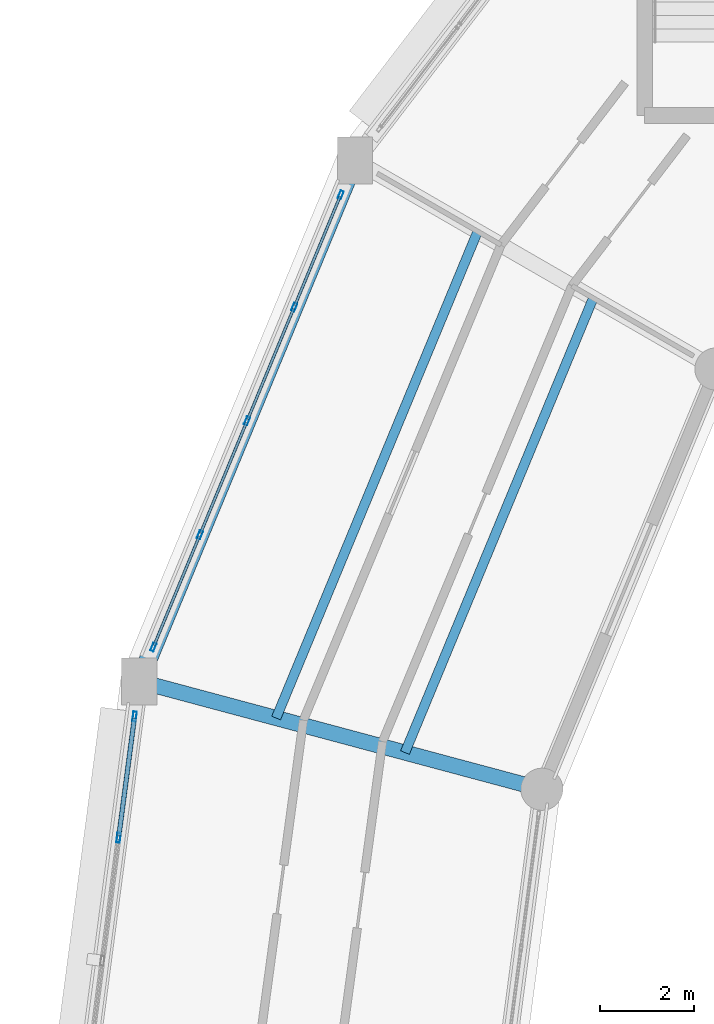
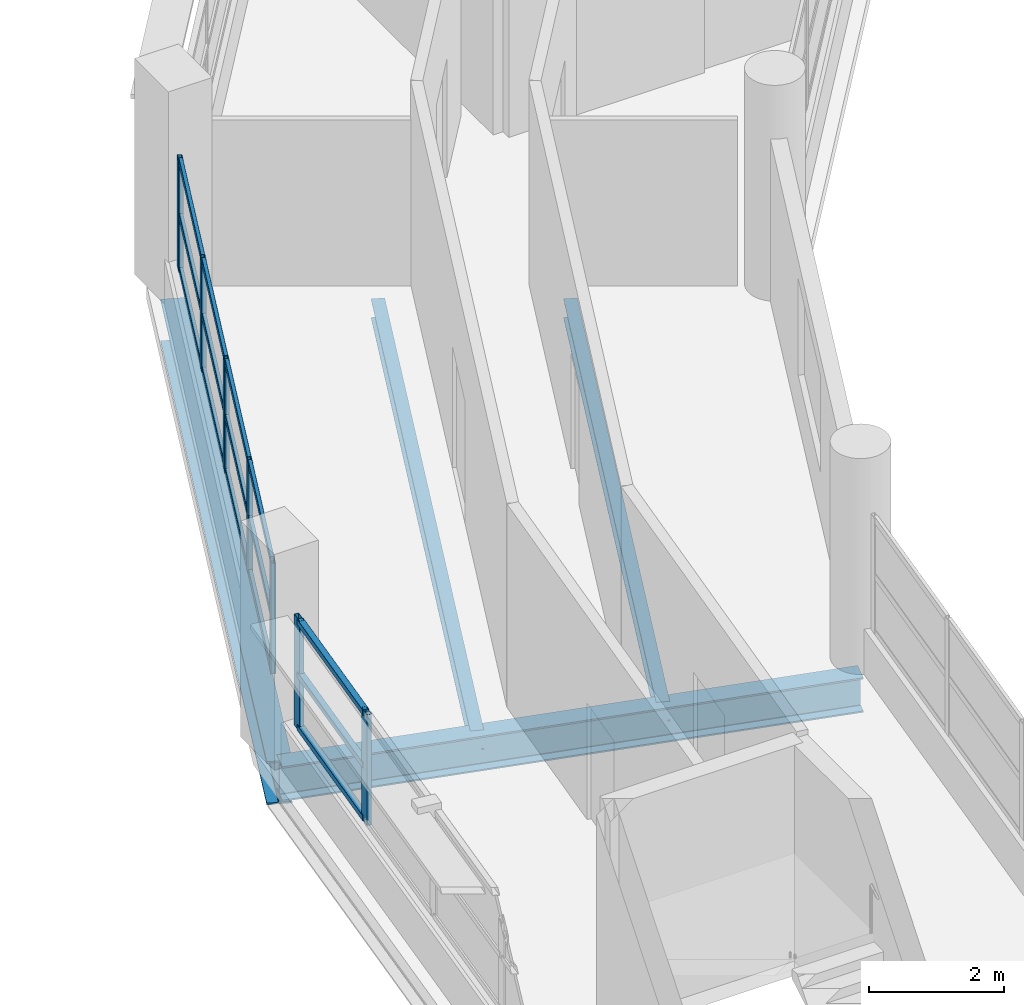
# One storey, part 20 of 53: 22 members, 4 beams, 2 elements without a shape of their own.
"""IFC4 building model written with IfcOpenShell, lengths in metres."""

from ifc_helpers import new_model, si_unit, direction, frame, origin, origin_2d, place, context, subcontext, project, spatial, hollow_rectangle, i_section, extrude, material, layer, layer_set, material_profile, profile_set, type_object, element, aggregate, save


model = new_model("IFC4")

# Units and contexts
model_context = context("Model", 3, precision=1e-05, world=origin(), true_north=direction((0.0, 1.0)))
body_context = subcontext(model_context, "Body", "Model", "MODEL_VIEW")
ifc_project = project(units=[si_unit("LENGTHUNIT", "METRE"), si_unit("AREAUNIT", "SQUARE_METRE"), si_unit("VOLUMEUNIT", "CUBIC_METRE"), si_unit("PLANEANGLEUNIT", "RADIAN"), si_unit("MASSUNIT", "GRAM", prefix="KILO")], contexts=[model_context])

# Site, building, storey
site_placement = place(None, origin())
site = spatial("IfcSite", under=ifc_project, at=site_placement, CompositionType="ELEMENT")
building_placement = place(site_placement, origin())
building = spatial("IfcBuilding", under=site, at=building_placement, Name="Vespera Passage Community Centre", CompositionType="ELEMENT")
storey_placement = place(building_placement, frame((0.0, 0.0, 20.39990234375)))
storey = spatial("IfcBuildingStorey", under=building, at=storey_placement, Name="L05", CompositionType="ELEMENT", Elevation=20.39990234375)

# Beams
ifc_material_1 = material(Name="Steel ASTM A992 Grade 50", Category="steel")
ifc_material_profile_1 = material_profile(ifc_material_1, i_section(OverallWidth=0.32763671875, OverallDepth=0.62841796875, WebThickness=0.0166015625, FlangeThickness=0.027587890625, FilletRadius=0.0126953125, at=origin_2d()), Name="W24X146")
ifc_profile_set_1 = profile_set([ifc_material_profile_1], Name="Steel ASTM A992 Grade 50")
beam_type_1 = type_object("IfcBeamType", Name="BM-G-W24X146", PredefinedType="BEAM", material=ifc_profile_set_1)
beam_1_placement = place(storey_placement, frame((42.067626953125, 75.128173828125, -0.57421875), z_axis=(-0.9659278487, 0.258811497245, 0.0), x_axis=(-0.258811497245, -0.9659278487, 0.0)))
element("IfcBeam", 1, at=beam_1_placement, inside=storey, type_object=beam_type_1, Name="V4 L05 Radial Girder 11", PredefinedType="BEAM", context=body_context, shape_type="SweptSolid", body=[
    extrude(i_section(OverallWidth=0.32763671875, OverallDepth=0.62841796875, WebThickness=0.0166015625, FlangeThickness=0.027587890625, FilletRadius=0.0126953125, at=origin_2d()), origin(), (0.0, 0.0, 1.0), 8.900146484375),
])
ifc_material_2 = material(Name="Steel ASTM A992 Grade 50", Category="steel")
ifc_material_profile_2 = material_profile(ifc_material_2, i_section(OverallWidth=0.2041015625, OverallDepth=0.3505859375, WebThickness=0.008544921875, FlangeThickness=0.01513671875, FilletRadius=0.01513671875, at=origin_2d()), Name="W14X48")
ifc_profile_set_2 = profile_set([ifc_material_profile_2], Name="Steel ASTM A992 Grade 50")
beam_type_2 = type_object("IfcBeamType", Name="BM-J-W14X48", PredefinedType="JOIST", material=ifc_profile_set_2)
beam_2_placement = place(storey_placement, frame((43.163330078125, 85.613037109375, -0.435302734375), z_axis=(-0.382683064417, -0.92387968492, 0.0), x_axis=(0.92387968492, -0.382683064417, 0.0)))
element("IfcBeam", 2, at=beam_2_placement, inside=storey, type_object=beam_type_2, Name="V4 L05 Floor Joist 10.1", PredefinedType="JOIST", context=body_context, shape_type="SweptSolid", body=[
    extrude(i_section(OverallWidth=0.2041015625, OverallDepth=0.3505859375, WebThickness=0.008544921875, FlangeThickness=0.01513671875, FilletRadius=0.01513671875, at=origin_2d()), origin(), (0.0, 0.0, 1.0), 10.5009765625),
])
beam_3_placement = place(storey_placement, frame((40.69677734375, 87.037109375, -0.435302734375), z_axis=(-0.38267202562, -0.923884257257, 0.0), x_axis=(0.923884257257, -0.38267202562, 0.0)))
element("IfcBeam", 3, at=beam_3_placement, inside=storey, type_object=beam_type_2, Name="V4 L05 Floor Joist 10.2", PredefinedType="JOIST", context=body_context, shape_type="SweptSolid", body=[
    extrude(i_section(OverallWidth=0.2041015625, OverallDepth=0.3505859375, WebThickness=0.008544921875, FlangeThickness=0.01513671875, FilletRadius=0.01513671875, at=origin_2d()), origin(), (0.0, 0.0, 1.0), 11.24462890625),
])
ifc_material_3 = material(Name="Steel ASTM A992 Grade 50", Category="steel")
ifc_material_profile_3 = material_profile(ifc_material_3, i_section(OverallWidth=0.382080078125, OverallDepth=0.779296875, WebThickness=0.01806640625, FlangeThickness=0.030029296875, FilletRadius=0.0166015625, at=origin_2d()), Name="W30X191")
ifc_profile_set_3 = profile_set([ifc_material_profile_3], Name="Steel ASTM A992 Grade 50")
beam_type_3 = type_object("IfcBeamType", Name="BM-SP-W30X191E", PredefinedType="SPANDREL", material=ifc_profile_set_3)
beam_4_placement = place(storey_placement, frame((38.076171875, 88.550048828125, -0.649658203125), z_axis=(-0.382688629799, -0.923877379647, 0.0), x_axis=(0.923877379647, -0.382688629799, 0.0)))
element("IfcBeam", 4, at=beam_4_placement, inside=storey, type_object=beam_type_3, Name="V4 L05 Outer Spandrel 10", PredefinedType="SPANDREL", context=body_context, shape_type="SweptSolid", body=[
    extrude(i_section(OverallWidth=0.382080078125, OverallDepth=0.779296875, WebThickness=0.01806640625, FlangeThickness=0.030029296875, FilletRadius=0.0166015625, at=origin_2d()), origin(), (0.0, 0.0, 1.0), 12.034423828125),
])

# Curtain wall, members
ifc_material_4 = material(Name="Anodized aluminium 6063-T6", Category="aluminium")
ifc_layer_1 = layer(ifc_material_4, 0.159912109375)
ifc_layer_set_1 = layer_set([ifc_layer_1], Name="Anodized aluminium 6063-T6")
curtain_wall_type_1 = type_object("IfcCurtainWallType", Name="CW-65E", PredefinedType="NOTDEFINED", material=ifc_layer_set_1)
curtain_wall_1_placement = place(storey_placement, origin())
curtain_wall_1 = element("IfcCurtainWall", 5, at=curtain_wall_1_placement, inside=storey, type_object=curtain_wall_type_1, Name="V4 L05 Outer Ribbon Curtain Wall 10", PredefinedType="NOTDEFINED")
ifc_material_5 = material(Name="Anodized aluminium 6063-T6", Category="aluminium")
ifc_material_profile_4 = material_profile(ifc_material_5, hollow_rectangle(XDim=0.074951171875, YDim=0.179931640625, WallThickness=0.0048828125, InnerFilletRadius=0.00244140625, OuterFilletRadius=0.0048828125, at=origin_2d()), Name="ALU180X75X5")
ifc_profile_set_4 = profile_set([ifc_material_profile_4], Name="Anodized aluminium 6063-T6")
member_type_1 = type_object("IfcMemberType", Name="MB-CWM-180E", PredefinedType="MULLION", material=ifc_profile_set_4)
member_1_placement = place(storey_placement, frame((33.774658203125, 78.164794921875, 0.820068359375), z_axis=(0.0, 0.0, 1.0), x_axis=(-0.923881309405, 0.382679142535, 0.0)))
member_1 = element("IfcMember", 6, at=member_1_placement, type_object=member_type_1, Name="CW-65E mullion 1", PredefinedType="MULLION", context=body_context, shape_type="SweptSolid", body=[
    extrude(hollow_rectangle(XDim=0.074951171875, YDim=0.179931640625, WallThickness=0.0048828125, InnerFilletRadius=0.00244140625, OuterFilletRadius=0.0048828125, at=origin_2d()), origin(), (0.0, 0.0, 1.0), 2.005615234375),
])
member_2_placement = place(storey_placement, frame((34.766845703125, 80.560546875, 0.820068359375), z_axis=(0.0, 0.0, 1.0), x_axis=(-0.923881309405, 0.382679142535, 0.0)))
member_2 = element("IfcMember", 7, at=member_2_placement, type_object=member_type_1, Name="CW-65E mullion 2", PredefinedType="MULLION", context=body_context, shape_type="SweptSolid", body=[
    extrude(hollow_rectangle(XDim=0.074951171875, YDim=0.179931640625, WallThickness=0.0048828125, InnerFilletRadius=0.00244140625, OuterFilletRadius=0.0048828125, at=origin_2d()), origin(), (0.0, 0.0, 1.0), 2.005615234375),
])
member_3_placement = place(storey_placement, frame((35.7734375, 82.99072265625, 0.820068359375), z_axis=(0.0, 0.0, 1.0), x_axis=(-0.923881309405, 0.382679142535, 0.0)))
member_3 = element("IfcMember", 8, at=member_3_placement, type_object=member_type_1, Name="CW-65E mullion 3", PredefinedType="MULLION", context=body_context, shape_type="SweptSolid", body=[
    extrude(hollow_rectangle(XDim=0.074951171875, YDim=0.179931640625, WallThickness=0.0048828125, InnerFilletRadius=0.00244140625, OuterFilletRadius=0.0048828125, at=origin_2d()), origin(), (0.0, 0.0, 1.0), 2.005615234375),
])
member_4_placement = place(storey_placement, frame((36.780029296875, 85.421142578125, 0.820068359375), z_axis=(0.0, 0.0, 1.0), x_axis=(-0.923881309405, 0.382679142535, 0.0)))
member_4 = element("IfcMember", 9, at=member_4_placement, type_object=member_type_1, Name="CW-65E mullion 4", PredefinedType="MULLION", context=body_context, shape_type="SweptSolid", body=[
    extrude(hollow_rectangle(XDim=0.074951171875, YDim=0.179931640625, WallThickness=0.0048828125, InnerFilletRadius=0.00244140625, OuterFilletRadius=0.0048828125, at=origin_2d()), origin(), (0.0, 0.0, 1.0), 2.005615234375),
])
member_5_placement = place(storey_placement, frame((37.7724609375, 87.816650390625, 0.820068359375), z_axis=(0.0, 0.0, 1.0), x_axis=(-0.923881309405, 0.382679142535, 0.0)))
member_5 = element("IfcMember", 10, at=member_5_placement, type_object=member_type_1, Name="CW-65E mullion 5", PredefinedType="MULLION", context=body_context, shape_type="SweptSolid", body=[
    extrude(hollow_rectangle(XDim=0.074951171875, YDim=0.179931640625, WallThickness=0.0048828125, InnerFilletRadius=0.00244140625, OuterFilletRadius=0.0048828125, at=origin_2d()), origin(), (0.0, 0.0, 1.0), 2.005615234375),
])

ifc_material_6 = material(Name="Anodized aluminium 6063-T6", Category="aluminium")
ifc_layer_2 = layer(ifc_material_6, 0.159912109375)
ifc_layer_set_2 = layer_set([ifc_layer_2], Name="Anodized aluminium 6063-T6")
curtain_wall_type_2 = type_object("IfcCurtainWallType", Name="CW-63E", PredefinedType="NOTDEFINED", material=ifc_layer_set_2)
curtain_wall_2_placement = place(storey_placement, origin())
curtain_wall_2 = element("IfcCurtainWall", 11, at=curtain_wall_2_placement, inside=storey, type_object=curtain_wall_type_2, Name="V4 L05 Outer Ribbon Curtain Wall 11", PredefinedType="NOTDEFINED")
ifc_material_7 = material(Name="Anodized aluminium 6063-T6", Category="aluminium")
ifc_material_profile_5 = material_profile(ifc_material_7, hollow_rectangle(XDim=0.074951171875, YDim=0.2099609375, WallThickness=0.0048828125, InnerFilletRadius=0.00244140625, OuterFilletRadius=0.0048828125, at=origin_2d()), Name="ALU210X75X5")
ifc_profile_set_5 = profile_set([ifc_material_profile_5], Name="Anodized aluminium 6063-T6")
member_type_2 = type_object("IfcMemberType", Name="MB-CWM-210E", PredefinedType="MULLION", material=ifc_profile_set_5)
member_6_placement = place(storey_placement, frame((33.03125, 74.092041015625, 0.820068359375), z_axis=(0.0, 0.0, 1.0), x_axis=(-0.991445298818, 0.130522869458, 0.0)))
member_6 = element("IfcMember", 12, at=member_6_placement, type_object=member_type_2, Name="CW-63E mullion 4", PredefinedType="MULLION", context=body_context, shape_type="SweptSolid", body=[
    extrude(hollow_rectangle(XDim=0.074951171875, YDim=0.2099609375, WallThickness=0.0048828125, InnerFilletRadius=0.00244140625, OuterFilletRadius=0.0048828125, at=origin_2d()), origin(), (0.0, 0.0, 1.0), 2.005615234375),
])
member_7_placement = place(storey_placement, frame((33.3720703125, 76.68115234375, 0.820068359375), z_axis=(0.0, 0.0, 1.0), x_axis=(-0.991445298818, 0.130522869458, 0.0)))
member_7 = element("IfcMember", 13, at=member_7_placement, type_object=member_type_2, Name="CW-63E mullion 5", PredefinedType="MULLION", context=body_context, shape_type="SweptSolid", body=[
    extrude(hollow_rectangle(XDim=0.074951171875, YDim=0.2099609375, WallThickness=0.0048828125, InnerFilletRadius=0.00244140625, OuterFilletRadius=0.0048828125, at=origin_2d()), origin(), (0.0, 0.0, 1.0), 2.005615234375),
])
ifc_material_8 = material(Name="Anodized aluminium 6063-T6", Category="aluminium")
ifc_material_profile_6 = material_profile(ifc_material_8, hollow_rectangle(XDim=0.10009765625, YDim=0.10009765625, WallThickness=0.00390625, InnerFilletRadius=0.001953125, OuterFilletRadius=0.00390625, at=origin_2d()), Name="ALU100X100X4")
ifc_profile_set_6 = profile_set([ifc_material_profile_6], Name="Anodized aluminium 6063-T6")
member_type_3 = type_object("IfcMemberType", Name="MB-CWT-100E", PredefinedType="USERDEFINED", material=ifc_profile_set_6)
member_8_placement = place(storey_placement, frame((33.0361328125, 74.12939453125, 0.8701171875), z_axis=(0.130524231271, 0.991445119536, 0.0), x_axis=(-0.991445119536, 0.130524231271, 0.0)))
member_8 = element("IfcMember", 14, at=member_8_placement, type_object=member_type_3, Name="CW-63E transom 4.1", ObjectType="TRANSOM", PredefinedType="USERDEFINED", context=body_context, shape_type="SweptSolid", body=[
    extrude(hollow_rectangle(XDim=0.10009765625, YDim=0.10009765625, WallThickness=0.00390625, InnerFilletRadius=0.001953125, OuterFilletRadius=0.00390625, at=origin_2d()), origin(), (0.0, 0.0, 1.0), 2.536376953125),
])
member_9_placement = place(storey_placement, frame((33.0361328125, 74.12939453125, 1.822998046875), z_axis=(0.130524231271, 0.991445119536, 0.0), x_axis=(-0.991445119536, 0.130524231271, 0.0)))
member_9 = element("IfcMember", 15, at=member_9_placement, type_object=member_type_3, Name="CW-63E transom 4.2", ObjectType="TRANSOM", PredefinedType="USERDEFINED", context=body_context, shape_type="SweptSolid", body=[
    extrude(hollow_rectangle(XDim=0.10009765625, YDim=0.10009765625, WallThickness=0.00390625, InnerFilletRadius=0.001953125, OuterFilletRadius=0.00390625, at=origin_2d()), origin(), (0.0, 0.0, 1.0), 2.536376953125),
])
member_10_placement = place(storey_placement, frame((33.0361328125, 74.12939453125, 2.77587890625), z_axis=(0.130524231271, 0.991445119536, 0.0), x_axis=(-0.991445119536, 0.130524231271, 0.0)))
member_10 = element("IfcMember", 16, at=member_10_placement, type_object=member_type_3, Name="CW-63E transom 4.3", ObjectType="TRANSOM", PredefinedType="USERDEFINED", context=body_context, shape_type="SweptSolid", body=[
    extrude(hollow_rectangle(XDim=0.10009765625, YDim=0.10009765625, WallThickness=0.00390625, InnerFilletRadius=0.001953125, OuterFilletRadius=0.00390625, at=origin_2d()), origin(), (0.0, 0.0, 1.0), 2.536376953125),
])
aggregate(curtain_wall_2, [member_6, member_7, member_8, member_9, member_10])

# Member
ifc_material_9 = material(Name="Anodized aluminium 6063-T6", Category="aluminium")
ifc_material_profile_7 = material_profile(ifc_material_9, hollow_rectangle(XDim=0.06005859375, YDim=0.1201171875, WallThickness=0.00390625, InnerFilletRadius=0.001953125, OuterFilletRadius=0.00390625, at=origin_2d()), Name="ALU120X60X4")
ifc_profile_set_7 = profile_set([ifc_material_profile_7], Name="Anodized aluminium 6063-T6")
member_type_4 = type_object("IfcMemberType", Name="MB-CWT-120E", PredefinedType="USERDEFINED", material=ifc_profile_set_7)
member_11_placement = place(storey_placement, frame((33.788818359375, 78.199462890625, 0.85009765625), z_axis=(0.3826800364, 0.923880939159, 0.0), x_axis=(-0.923880939159, 0.3826800364, 0.0)))
member_11 = element("IfcMember", 17, at=member_11_placement, type_object=member_type_4, Name="CW-65E transom 1.1", ObjectType="TRANSOM", PredefinedType="USERDEFINED", context=body_context, shape_type="SweptSolid", body=[
    extrude(hollow_rectangle(XDim=0.06005859375, YDim=0.1201171875, WallThickness=0.00390625, InnerFilletRadius=0.001953125, OuterFilletRadius=0.00390625, at=origin_2d()), origin(), (0.0, 0.0, 1.0), 2.51806640625),
])

member_12_placement = place(storey_placement, frame((33.788818359375, 78.199462890625, 1.822998046875), z_axis=(0.3826800364, 0.923880939159, 0.0), x_axis=(-0.923880939159, 0.3826800364, 0.0)))
member_12 = element("IfcMember", 18, at=member_12_placement, type_object=member_type_4, Name="CW-65E transom 1.2", ObjectType="TRANSOM", PredefinedType="USERDEFINED", context=body_context, shape_type="SweptSolid", body=[
    extrude(hollow_rectangle(XDim=0.06005859375, YDim=0.1201171875, WallThickness=0.00390625, InnerFilletRadius=0.001953125, OuterFilletRadius=0.00390625, at=origin_2d()), origin(), (0.0, 0.0, 1.0), 2.51806640625),
])

member_13_placement = place(storey_placement, frame((33.788818359375, 78.199462890625, 2.7958984375), z_axis=(0.3826800364, 0.923880939159, 0.0), x_axis=(-0.923880939159, 0.3826800364, 0.0)))
member_13 = element("IfcMember", 19, at=member_13_placement, type_object=member_type_4, Name="CW-65E transom 1.3", ObjectType="TRANSOM", PredefinedType="USERDEFINED", context=body_context, shape_type="SweptSolid", body=[
    extrude(hollow_rectangle(XDim=0.06005859375, YDim=0.1201171875, WallThickness=0.00390625, InnerFilletRadius=0.001953125, OuterFilletRadius=0.00390625, at=origin_2d()), origin(), (0.0, 0.0, 1.0), 2.51806640625),
])

member_14_placement = place(storey_placement, frame((34.78125, 80.59521484375, 0.85009765625), z_axis=(0.382647130015, 0.923894568601, 0.0), x_axis=(-0.923894568601, 0.382647130015, 0.0)))
member_14 = element("IfcMember", 20, at=member_14_placement, type_object=member_type_4, Name="CW-65E transom 2.1", ObjectType="TRANSOM", PredefinedType="USERDEFINED", context=body_context, shape_type="SweptSolid", body=[
    extrude(hollow_rectangle(XDim=0.06005859375, YDim=0.1201171875, WallThickness=0.00390625, InnerFilletRadius=0.001953125, OuterFilletRadius=0.00390625, at=origin_2d()), origin(), (0.0, 0.0, 1.0), 2.555419921875),
])

member_15_placement = place(storey_placement, frame((34.78125, 80.59521484375, 1.822998046875), z_axis=(0.382647130015, 0.923894568601, 0.0), x_axis=(-0.923894568601, 0.382647130015, 0.0)))
member_15 = element("IfcMember", 21, at=member_15_placement, type_object=member_type_4, Name="CW-65E transom 2.2", ObjectType="TRANSOM", PredefinedType="USERDEFINED", context=body_context, shape_type="SweptSolid", body=[
    extrude(hollow_rectangle(XDim=0.06005859375, YDim=0.1201171875, WallThickness=0.00390625, InnerFilletRadius=0.001953125, OuterFilletRadius=0.00390625, at=origin_2d()), origin(), (0.0, 0.0, 1.0), 2.555419921875),
])

member_16_placement = place(storey_placement, frame((34.78125, 80.59521484375, 2.7958984375), z_axis=(0.382647130015, 0.923894568601, 0.0), x_axis=(-0.923894568601, 0.382647130015, 0.0)))
member_16 = element("IfcMember", 22, at=member_16_placement, type_object=member_type_4, Name="CW-65E transom 2.3", ObjectType="TRANSOM", PredefinedType="USERDEFINED", context=body_context, shape_type="SweptSolid", body=[
    extrude(hollow_rectangle(XDim=0.06005859375, YDim=0.1201171875, WallThickness=0.00390625, InnerFilletRadius=0.001953125, OuterFilletRadius=0.00390625, at=origin_2d()), origin(), (0.0, 0.0, 1.0), 2.555419921875),
])

member_17_placement = place(storey_placement, frame((35.787841796875, 83.025390625, 0.85009765625), z_axis=(0.382694900027, 0.923874782367, 0.0), x_axis=(-0.923874782367, 0.382694900027, 0.0)))
member_17 = element("IfcMember", 23, at=member_17_placement, type_object=member_type_4, Name="CW-65E transom 3.1", ObjectType="TRANSOM", PredefinedType="USERDEFINED", context=body_context, shape_type="SweptSolid", body=[
    extrude(hollow_rectangle(XDim=0.06005859375, YDim=0.1201171875, WallThickness=0.00390625, InnerFilletRadius=0.001953125, OuterFilletRadius=0.00390625, at=origin_2d()), origin(), (0.0, 0.0, 1.0), 2.5556640625),
])

member_18_placement = place(storey_placement, frame((35.787841796875, 83.025390625, 1.822998046875), z_axis=(0.382694900027, 0.923874782367, 0.0), x_axis=(-0.923874782367, 0.382694900027, 0.0)))
member_18 = element("IfcMember", 24, at=member_18_placement, type_object=member_type_4, Name="CW-65E transom 3.2", ObjectType="TRANSOM", PredefinedType="USERDEFINED", context=body_context, shape_type="SweptSolid", body=[
    extrude(hollow_rectangle(XDim=0.06005859375, YDim=0.1201171875, WallThickness=0.00390625, InnerFilletRadius=0.001953125, OuterFilletRadius=0.00390625, at=origin_2d()), origin(), (0.0, 0.0, 1.0), 2.5556640625),
])

member_19_placement = place(storey_placement, frame((35.787841796875, 83.025390625, 2.7958984375), z_axis=(0.382694900027, 0.923874782367, 0.0), x_axis=(-0.923874782367, 0.382694900027, 0.0)))
member_19 = element("IfcMember", 25, at=member_19_placement, type_object=member_type_4, Name="CW-65E transom 3.3", ObjectType="TRANSOM", PredefinedType="USERDEFINED", context=body_context, shape_type="SweptSolid", body=[
    extrude(hollow_rectangle(XDim=0.06005859375, YDim=0.1201171875, WallThickness=0.00390625, InnerFilletRadius=0.001953125, OuterFilletRadius=0.00390625, at=origin_2d()), origin(), (0.0, 0.0, 1.0), 2.5556640625),
])

member_20_placement = place(storey_placement, frame((36.79443359375, 85.455810546875, 0.85009765625), z_axis=(0.3826800364, 0.923880939159, 0.0), x_axis=(-0.923880939159, 0.3826800364, 0.0)))
member_20 = element("IfcMember", 26, at=member_20_placement, type_object=member_type_4, Name="CW-65E transom 4.1", ObjectType="TRANSOM", PredefinedType="USERDEFINED", context=body_context, shape_type="SweptSolid", body=[
    extrude(hollow_rectangle(XDim=0.06005859375, YDim=0.1201171875, WallThickness=0.00390625, InnerFilletRadius=0.001953125, OuterFilletRadius=0.00390625, at=origin_2d()), origin(), (0.0, 0.0, 1.0), 2.51806640625),
])

member_21_placement = place(storey_placement, frame((36.79443359375, 85.455810546875, 1.822998046875), z_axis=(0.3826800364, 0.923880939159, 0.0), x_axis=(-0.923880939159, 0.3826800364, 0.0)))
member_21 = element("IfcMember", 27, at=member_21_placement, type_object=member_type_4, Name="CW-65E transom 4.2", ObjectType="TRANSOM", PredefinedType="USERDEFINED", context=body_context, shape_type="SweptSolid", body=[
    extrude(hollow_rectangle(XDim=0.06005859375, YDim=0.1201171875, WallThickness=0.00390625, InnerFilletRadius=0.001953125, OuterFilletRadius=0.00390625, at=origin_2d()), origin(), (0.0, 0.0, 1.0), 2.51806640625),
])

member_22_placement = place(storey_placement, frame((36.79443359375, 85.455810546875, 2.7958984375), z_axis=(0.3826800364, 0.923880939159, 0.0), x_axis=(-0.923880939159, 0.3826800364, 0.0)))
member_22 = element("IfcMember", 28, at=member_22_placement, type_object=member_type_4, Name="CW-65E transom 4.3", ObjectType="TRANSOM", PredefinedType="USERDEFINED", context=body_context, shape_type="SweptSolid", body=[
    extrude(hollow_rectangle(XDim=0.06005859375, YDim=0.1201171875, WallThickness=0.00390625, InnerFilletRadius=0.001953125, OuterFilletRadius=0.00390625, at=origin_2d()), origin(), (0.0, 0.0, 1.0), 2.51806640625),
])

aggregate(curtain_wall_1, [member_1, member_2, member_3, member_4, member_5, member_11, member_12, member_13, member_14, member_15, member_16, member_17, member_18, member_19, member_20, member_21, member_22])

save(model, "model.ifc")
